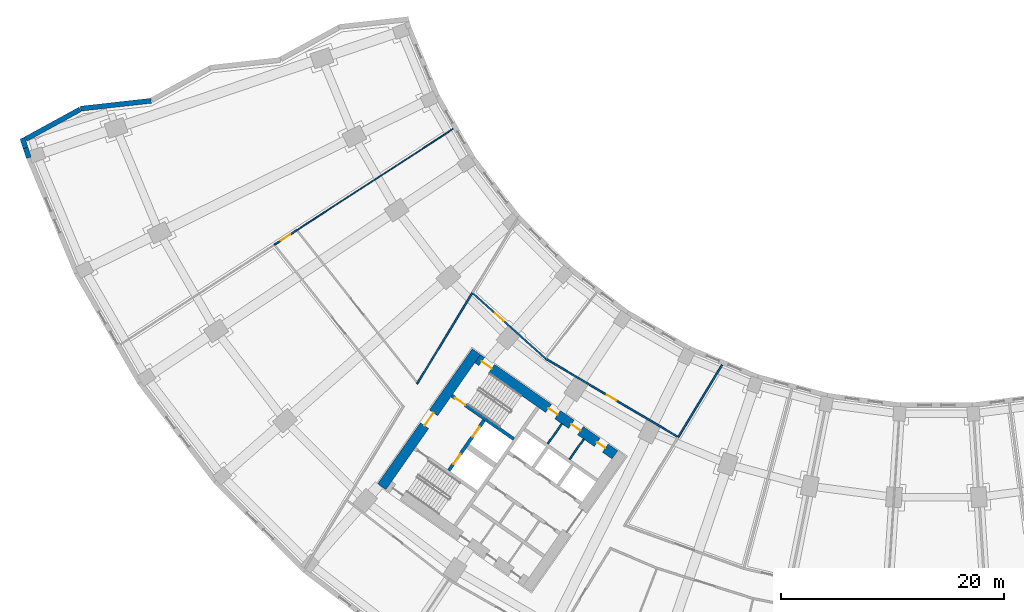
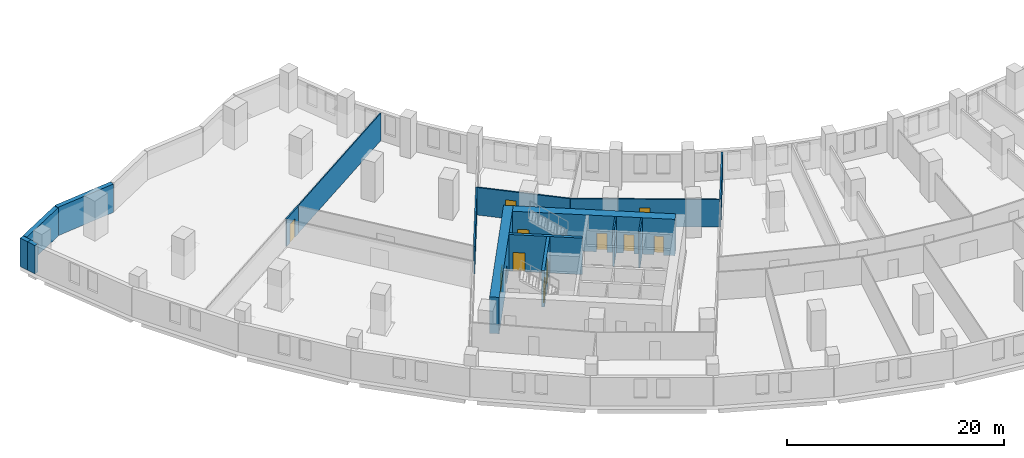
# One storey, part 7 of 20: 16 walls, 11 doors, 11 openings.
"""IFC4 building model written with IfcOpenShell, lengths in metres."""

from ifc_helpers import new_model, si_unit, direction, frame, frame_2d, origin, place, context, subcontext, project, spatial, rectangle, extrude, material, layer, layer_set, type_object, element, fill, save


model = new_model("IFC4")

# Units and contexts
model_context = context("Model", 3, precision=1e-05, world=origin(), true_north=direction((0.0, 1.0)))
body_context = subcontext(model_context, "Body", "Model", "MODEL_VIEW")
ifc_project = project(units=[si_unit("LENGTHUNIT", "METRE"), si_unit("AREAUNIT", "SQUARE_METRE"), si_unit("VOLUMEUNIT", "CUBIC_METRE"), si_unit("PLANEANGLEUNIT", "RADIAN"), si_unit("MASSUNIT", "GRAM", prefix="KILO")], contexts=[model_context])

# Site, building, storey
site_placement = place(None, origin())
site = spatial("IfcSite", under=ifc_project, at=site_placement, CompositionType="ELEMENT")
building_placement = place(site_placement, origin())
building = spatial("IfcBuilding", under=site, at=building_placement, Name="Qamariyya Broadcast Tower", CompositionType="ELEMENT")
storey_placement = place(building_placement, frame((0.0, 0.0, 31.5)))
storey = spatial("IfcBuildingStorey", under=building, at=storey_placement, Name="L04", CompositionType="ELEMENT", Elevation=31.5)

# Wall, opening, door
ifc_material_1 = material(Name="Concrete C70/85", Category="concrete")
ifc_layer_1 = layer(ifc_material_1, 0.89990234375)
ifc_layer_set_1 = layer_set([ifc_layer_1], Name="Core wall 900 mm Concrete C70/85")
wall_type_1 = type_object("IfcWallType", Name="Core wall 900 mm Concrete C70/85", PredefinedType="SHEAR", material=ifc_layer_set_1)
wall_1_placement = place(storey_placement, frame((-49.778564453125, -57.191162109375, 0.0), z_axis=(0.0, 0.0, 1.0), x_axis=(0.573577477574, 0.819151315216, 0.0)))
wall_1 = element("IfcWall", 1, at=wall_1_placement, inside=storey, type_object=wall_type_1, Name="k-W-L04-WH", PredefinedType="SHEAR", context=body_context, shape_type="SweptSolid", body=[
    extrude(rectangle(XDim=14.800048828125, YDim=0.89990234375, at=frame_2d((7.39990234375, 0.0))), origin(), (0.0, 0.0, 1.0), 4.10009765625),
])
opening_1_placement = place(wall_1_placement, frame((6.699951171875, 0.0, 0.0)))
opening_1 = element("IfcOpeningElement", 2, at=opening_1_placement, cuts=wall_1, Name="Opening KD2-W1", PredefinedType="OPENING", context=body_context, shape_type="SweptSolid", body=[
    extrude(rectangle(XDim=1.39990234375, YDim=2.10009765625, at=frame_2d((0.699951171875, 1.050048828125))), frame((0.0, 0.4599609375, 0.0), z_axis=(0.0, -1.0, 0.0), x_axis=(1.0, 0.0, 0.0)), (0.0, 0.0, 1.0), 0.919921875),
])
ifc_material_2 = material(Name="Steel fire-resisting door leaf", Category="steel")
door_type_1 = type_object("IfcDoorType", Name="Fire-fighting lobby door KD2", OperationType="DOUBLE_DOOR_SINGLE_SWING", PredefinedType="DOOR", material=ifc_material_2)
door_1_placement = place(opening_1_placement, origin())
door_1 = element("IfcDoor", 3, at=door_1_placement, inside=storey, type_object=door_type_1, Name="k-W-L04-WH-D16", OperationType="DOUBLE_DOOR_SINGLE_SWING", OverallHeight=2.10009765625, OverallWidth=1.39990234375, PredefinedType="DOOR", context=body_context, shape_type="SweptSolid", body=[
    extrude(rectangle(XDim=1.39990234375, YDim=2.10009765625, at=frame_2d((0.699951171875, 1.050048828125))), frame((0.0, 0.02490234375, 0.0), z_axis=(0.0, -1.0, 0.0), x_axis=(1.0, 0.0, 0.0)), (0.0, 0.0, 1.0), 0.050048828125),
])
fill(opening_1, door_1)

# Wall, openings, doors
wall_2_placement = place(storey_placement, frame((-28.8544921875, -54.32421875, 0.0), z_axis=(0.0, 0.0, 1.0), x_axis=(-0.819145767589, 0.573585400304, 0.0)))
wall_2 = element("IfcWall", 4, at=wall_2_placement, inside=storey, type_object=wall_type_1, Name="k-W-L04-WI", PredefinedType="SHEAR", context=body_context, shape_type="SweptSolid", body=[
    extrude(rectangle(XDim=15.04541015625, YDim=0.89990234375, at=frame_2d((7.522705078125, 0.0))), origin(), (0.0, 0.0, 1.0), 4.10009765625),
])
opening_2_placement = place(wall_2_placement, frame((1.050048828125, 0.0, 0.0)))
opening_2 = element("IfcOpeningElement", 5, at=opening_2_placement, cuts=wall_2, Name="Opening KD5-W1", PredefinedType="OPENING", context=body_context, shape_type="SweptSolid", body=[
    extrude(rectangle(XDim=0.89990234375, YDim=2.10009765625, at=frame_2d((0.449951171875, 1.050048828125))), frame((0.0, 0.4599609375, 0.0), z_axis=(0.0, -1.0, 0.0), x_axis=(1.0, 0.0, 0.0)), (0.0, 0.0, 1.0), 0.919921875),
])
opening_3_placement = place(wall_2_placement, frame((3.77490234375, 0.0, 0.0)))
opening_3 = element("IfcOpeningElement", 6, at=opening_3_placement, cuts=wall_2, Name="Opening KD7-W1", PredefinedType="OPENING", context=body_context, shape_type="SweptSolid", body=[
    extrude(rectangle(XDim=1.0, YDim=2.10009765625, at=frame_2d((0.5, 1.050048828125))), frame((0.0, 0.4599609375, 0.0), z_axis=(0.0, -1.0, 0.0), x_axis=(1.0, 0.0, 0.0)), (0.0, 0.0, 1.0), 0.919921875),
])
opening_4_placement = place(wall_2_placement, frame((6.27490234375, 0.0, 0.0)))
opening_4 = element("IfcOpeningElement", 7, at=opening_4_placement, cuts=wall_2, Name="Opening KD6-W4", PredefinedType="OPENING", context=body_context, shape_type="SweptSolid", body=[
    extrude(rectangle(XDim=1.0, YDim=2.10009765625, at=frame_2d((0.5, 1.050048828125))), frame((0.0, 0.4599609375, 0.0), z_axis=(0.0, -1.0, 0.0), x_axis=(1.0, 0.0, 0.0)), (0.0, 0.0, 1.0), 0.919921875),
])
opening_5_placement = place(wall_2_placement, frame((13.495361328125, 0.0, 0.0)))
opening_5 = element("IfcOpeningElement", 8, at=opening_5_placement, cuts=wall_2, Name="Opening KD1-W1", PredefinedType="OPENING", context=body_context, shape_type="SweptSolid", body=[
    extrude(rectangle(XDim=1.10009765625, YDim=2.10009765625, at=frame_2d((0.550048828125, 1.050048828125))), frame((0.0, 0.4599609375, 0.0), z_axis=(0.0, -1.0, 0.0), x_axis=(1.0, 0.0, 0.0)), (0.0, 0.0, 1.0), 0.919921875),
])
door_type_2 = type_object("IfcDoorType", Name="Accessible toilet door KD7", OperationType="SINGLE_SWING_LEFT", PredefinedType="DOOR", material=ifc_material_2)
door_2_placement = place(opening_3_placement, origin())
door_2 = element("IfcDoor", 9, at=door_2_placement, inside=storey, type_object=door_type_2, Name="k-W-L04-WI-D9", OperationType="SINGLE_SWING_RIGHT", OverallHeight=2.10009765625, OverallWidth=1.0, PredefinedType="DOOR", context=body_context, shape_type="SweptSolid", body=[
    extrude(rectangle(XDim=1.0, YDim=2.10009765625, at=frame_2d((0.5, 1.050048828125))), frame((0.0, 0.02490234375, 0.0), z_axis=(0.0, -1.0, 0.0), x_axis=(1.0, 0.0, 0.0)), (0.0, 0.0, 1.0), 0.050048828125),
])
fill(opening_3, door_2)
door_type_3 = type_object("IfcDoorType", Name="Core room door KD6", OperationType="SINGLE_SWING_LEFT", PredefinedType="DOOR", material=ifc_material_2)
door_3_placement = place(opening_4_placement, origin())
door_3 = element("IfcDoor", 10, at=door_3_placement, inside=storey, type_object=door_type_3, Name="k-W-L04-WI-D10", OperationType="SINGLE_SWING_LEFT", OverallHeight=2.10009765625, OverallWidth=1.0, PredefinedType="DOOR", context=body_context, shape_type="SweptSolid", body=[
    extrude(rectangle(XDim=1.0, YDim=2.10009765625, at=frame_2d((0.5, 1.050048828125))), frame((0.0, 0.02490234375, 0.0), z_axis=(0.0, -1.0, 0.0), x_axis=(1.0, 0.0, 0.0)), (0.0, 0.0, 1.0), 0.050048828125),
])
fill(opening_4, door_3)
door_type_4 = type_object("IfcDoorType", Name="Stair door KD1", OperationType="SINGLE_SWING_LEFT", PredefinedType="DOOR", material=ifc_material_2)
door_4_placement = place(opening_5_placement, origin())
door_4 = element("IfcDoor", 11, at=door_4_placement, inside=storey, type_object=door_type_4, Name="k-W-L04-WI-D17", OperationType="SINGLE_SWING_RIGHT", OverallHeight=2.10009765625, OverallWidth=1.10009765625, PredefinedType="DOOR", context=body_context, shape_type="SweptSolid", body=[
    extrude(rectangle(XDim=1.10009765625, YDim=2.10009765625, at=frame_2d((0.550048828125, 1.050048828125))), frame((0.0, 0.02490234375, 0.0), z_axis=(0.0, -1.0, 0.0), x_axis=(1.0, 0.0, 0.0)), (0.0, 0.0, 1.0), 0.050048828125),
])
fill(opening_5, door_4)
door_type_5 = type_object("IfcDoorType", Name="Toilet door KD5", OperationType="SINGLE_SWING_LEFT", PredefinedType="DOOR", material=ifc_material_2)
door_5_placement = place(opening_2_placement, origin())
door_5 = element("IfcDoor", 12, at=door_5_placement, inside=storey, type_object=door_type_5, Name="k-W-L04-WI-D8", OperationType="SINGLE_SWING_LEFT", OverallHeight=2.10009765625, OverallWidth=0.89990234375, PredefinedType="DOOR", context=body_context, shape_type="SweptSolid", body=[
    extrude(rectangle(XDim=0.89990234375, YDim=2.10009765625, at=frame_2d((0.449951171875, 1.050048828125))), frame((0.0, 0.02490234375, 0.0), z_axis=(0.0, -1.0, 0.0), x_axis=(1.0, 0.0, 0.0)), (0.0, 0.0, 1.0), 0.050048828125),
])
fill(opening_2, door_5)

# Wall, opening, door
ifc_material_3 = material(Name="Gypsum board partition")
ifc_layer_2 = layer(ifc_material_3, 0.14990234375)
ifc_layer_set_2 = layer_set([ifc_layer_2], Name="Corridor partition 150 EI 60")
wall_type_2 = type_object("IfcWallType", Name="Corridor partition 150 EI 60", PredefinedType="PARTITIONING", material=ifc_layer_set_2)
wall_3_placement = place(storey_placement, frame((-59.41796875, -35.470458984375, 0.0), z_axis=(0.0, 0.0, 1.0), x_axis=(0.839081673018, 0.544005465051, 0.0)))
wall_3 = element("IfcWall", 13, at=wall_3_placement, inside=storey, type_object=wall_type_2, Name="Partition L04-002", PredefinedType="PARTITIONING", context=body_context, shape_type="SweptSolid", body=[
    extrude(rectangle(XDim=2.40185546875, YDim=0.14990234375, at=frame_2d((1.200927734375, 0.0))), origin(), (0.0, 0.0, 1.0), 3.10009765625),
])
opening_6_placement = place(wall_3_placement, frame((0.700927734375, 0.0, 0.0)))
opening_6 = element("IfcOpeningElement", 14, at=opening_6_placement, cuts=wall_3, Name="Opening L04-D21", PredefinedType="OPENING", context=body_context, shape_type="SweptSolid", body=[
    extrude(rectangle(XDim=1.0, YDim=2.10009765625, at=frame_2d((0.5, 1.050048828125))), frame((0.0, 0.0849609375, 0.0), z_axis=(0.0, -1.0, 0.0), x_axis=(1.0, 0.0, 0.0)), (0.0, 0.0, 1.0), 0.169921875),
])
ifc_material_4 = material(Name="Timber fire door leaf", Category="wood")
door_type_6 = type_object("IfcDoorType", Name="Fire door 1000 x 2100 FD60", OperationType="NOTDEFINED", PredefinedType="DOOR", material=ifc_material_4)
door_6_placement = place(opening_6_placement, origin())
door_6 = element("IfcDoor", 15, at=door_6_placement, inside=storey, type_object=door_type_6, Name="Door L04-D21", OperationType="SINGLE_SWING_RIGHT", OverallHeight=2.10009765625, OverallWidth=1.0, PredefinedType="DOOR", context=body_context, shape_type="SweptSolid", body=[
    extrude(rectangle(XDim=1.0, YDim=2.10009765625, at=frame_2d((0.5, 1.050048828125))), frame((0.0, 0.02490234375, 0.0), z_axis=(0.0, -1.0, 0.0), x_axis=(1.0, 0.0, 0.0)), (0.0, 0.0, 1.0), 0.050048828125),
])
fill(opening_6, door_6)

# Wall
wall_4_placement = place(storey_placement, frame((-41.648193359375, -39.789306640625, 0.0), z_axis=(0.0, 0.0, 1.0), x_axis=(-0.519144162426, -0.854686690325, 0.0)))
element("IfcWall", 16, at=wall_4_placement, inside=storey, type_object=wall_type_2, Name="Partition L04-011", PredefinedType="PARTITIONING", context=body_context, shape_type="SweptSolid", body=[
    extrude(rectangle(XDim=9.55419921875, YDim=0.14990234375, at=frame_2d((4.777099609375, 0.0))), origin(), (0.0, 0.0, 1.0), 3.10009765625),
])

# Wall, opening, door
wall_5_placement = place(storey_placement, frame((-41.59228515625, -39.83935546875, 0.0), z_axis=(0.0, 0.0, 1.0), x_axis=(0.744252572607, -0.667898276812, 0.0)))
wall_5 = element("IfcWall", 17, at=wall_5_placement, inside=storey, type_object=wall_type_2, Name="Partition L04-012", PredefinedType="PARTITIONING", context=body_context, shape_type="SweptSolid", body=[
    extrude(rectangle(XDim=8.770751953125, YDim=0.14990234375, at=frame_2d((4.38525390625, 0.0))), origin(), (0.0, 0.0, 1.0), 3.10009765625),
])
opening_7_placement = place(wall_5_placement, frame((2.685302734375, 0.0, 0.0)))
opening_7 = element("IfcOpeningElement", 18, at=opening_7_placement, cuts=wall_5, Name="Opening L04-D15", PredefinedType="OPENING", context=body_context, shape_type="SweptSolid", body=[
    extrude(rectangle(XDim=1.0, YDim=2.10009765625, at=frame_2d((0.5, 1.050048828125))), frame((0.0, 0.0849609375, 0.0), z_axis=(0.0, -1.0, 0.0), x_axis=(1.0, 0.0, 0.0)), (0.0, 0.0, 1.0), 0.169921875),
])
door_7_placement = place(opening_7_placement, origin())
door_7 = element("IfcDoor", 19, at=door_7_placement, inside=storey, type_object=door_type_6, Name="Door L04-D15", OperationType="SINGLE_SWING_LEFT", OverallHeight=2.10009765625, OverallWidth=1.0, PredefinedType="DOOR", context=body_context, shape_type="SweptSolid", body=[
    extrude(rectangle(XDim=1.0, YDim=2.10009765625, at=frame_2d((0.5, 1.050048828125))), frame((0.0, 0.02490234375, 0.0), z_axis=(0.0, -1.0, 0.0), x_axis=(1.0, 0.0, 0.0)), (0.0, 0.0, 1.0), 0.050048828125),
])
fill(opening_7, door_7)

wall_6_placement = place(storey_placement, frame((-35.064697265625, -45.697265625, 0.0), z_axis=(0.0, 0.0, 1.0), x_axis=(0.860638818745, -0.509215891022, 0.0)))
wall_6 = element("IfcWall", 20, at=wall_6_placement, inside=storey, type_object=wall_type_2, Name="Partition L04-014", PredefinedType="PARTITIONING", context=body_context, shape_type="SweptSolid", body=[
    extrude(rectangle(XDim=13.740966796875, YDim=0.14990234375, at=frame_2d((6.87060546875, 0.0))), origin(), (0.0, 0.0, 1.0), 3.10009765625),
])
opening_8_placement = place(wall_6_placement, frame((6.370361328125, 0.0, 0.0)))
opening_8 = element("IfcOpeningElement", 21, at=opening_8_placement, cuts=wall_6, Name="Opening L04-D16", PredefinedType="OPENING", context=body_context, shape_type="SweptSolid", body=[
    extrude(rectangle(XDim=1.0, YDim=2.10009765625, at=frame_2d((0.5, 1.050048828125))), frame((0.0, 0.0849609375, 0.0), z_axis=(0.0, -1.0, 0.0), x_axis=(1.0, 0.0, 0.0)), (0.0, 0.0, 1.0), 0.169921875),
])
door_8_placement = place(opening_8_placement, origin())
door_8 = element("IfcDoor", 22, at=door_8_placement, inside=storey, type_object=door_type_6, Name="Door L04-D16", OperationType="SINGLE_SWING_RIGHT", OverallHeight=2.10009765625, OverallWidth=1.0, PredefinedType="DOOR", context=body_context, shape_type="SweptSolid", body=[
    extrude(rectangle(XDim=1.0, YDim=2.10009765625, at=frame_2d((0.5, 1.050048828125))), frame((0.0, 0.02490234375, 0.0), z_axis=(0.0, -1.0, 0.0), x_axis=(1.0, 0.0, 0.0)), (0.0, 0.0, 1.0), 0.050048828125),
])
fill(opening_8, door_8)

# Walls
wall_7_placement = place(storey_placement, frame((-19.2314453125, -46.2490234375, 0.0), z_axis=(0.0, 0.0, 1.0), x_axis=(-0.519582509181, -0.854420280748, 0.0)))
element("IfcWall", 23, at=wall_7_placement, inside=storey, type_object=wall_type_2, Name="Partition L04-024", PredefinedType="PARTITIONING", context=body_context, shape_type="SweptSolid", body=[
    extrude(rectangle(XDim=7.588134765625, YDim=0.14990234375, at=frame_2d((3.7939453125, 0.0))), origin(), (0.0, 0.0, 1.0), 3.10009765625),
])
ifc_material_5 = material(Name="Gypsum board partition on steel studs", Category="steel")
ifc_layer_3 = layer(ifc_material_5, 0.14990234375)
ifc_layer_set_3 = layer_set([ifc_layer_3], Name="Gypsum board partition 150 mm")
wall_type_3 = type_object("IfcWallType", Name="Gypsum board partition 150 mm", PredefinedType="PARTITIONING", material=ifc_layer_set_3)
wall_8_placement = place(storey_placement, frame((-32.9140625, -54.716796875, 0.0), z_axis=(0.0, 0.0, 1.0), x_axis=(0.573581496053, 0.819148501424, 0.0)))
element("IfcWall", 24, at=wall_8_placement, inside=storey, type_object=wall_type_3, Name="k-W-L04-NP310", PredefinedType="PARTITIONING", context=body_context, shape_type="SweptSolid", body=[
    extrude(rectangle(XDim=2.2001953125, YDim=0.14990234375, at=frame_2d((1.10009765625, 0.0))), origin(), (0.0, 0.0, 1.0), 4.10009765625),
])
wall_9_placement = place(storey_placement, frame((-34.8798828125, -53.340087890625, 0.0), z_axis=(0.0, 0.0, 1.0), x_axis=(0.573559170999, 0.819164133348, 0.0)))
element("IfcWall", 25, at=wall_9_placement, inside=storey, type_object=wall_type_3, Name="k-W-L04-NP550", PredefinedType="PARTITIONING", context=body_context, shape_type="SweptSolid", body=[
    extrude(rectangle(XDim=2.19970703125, YDim=0.14990234375, at=frame_2d((1.099853515625, 0.0))), origin(), (0.0, 0.0, 1.0), 4.10009765625),
])

# Wall, opening, door
ifc_material_6 = material(Name="Concrete C60/75", Category="concrete")
ifc_layer_4 = layer(ifc_material_6, 0.300048828125)
ifc_layer_set_4 = layer_set([ifc_layer_4], Name="Lift shaft wall 300 mm Concrete C60/75")
wall_type_4 = type_object("IfcWallType", Name="Lift shaft wall 300 mm Concrete C60/75", PredefinedType="SOLIDWALL", material=ifc_layer_set_4)
wall_10_placement = place(storey_placement, frame((-37.935546875, -52.90966796875, 0.0), z_axis=(0.0, 0.0, 1.0), x_axis=(-0.819147518138, 0.57358290031, 0.0)))
wall_10 = element("IfcWall", 26, at=wall_10_placement, inside=storey, type_object=wall_type_4, Name="k-W-L04-NW", PredefinedType="SOLIDWALL", context=body_context, shape_type="SweptSolid", body=[
    extrude(rectangle(XDim=6.79541015625, YDim=0.300048828125, at=frame_2d((3.397705078125, 0.0))), origin(), (0.0, 0.0, 1.0), 4.10009765625),
])
opening_9_placement = place(wall_10_placement, frame((5.3203125, 0.0, 0.0)))
opening_9 = element("IfcOpeningElement", 27, at=opening_9_placement, cuts=wall_10, Name="Opening KD1-W2", PredefinedType="OPENING", context=body_context, shape_type="SweptSolid", body=[
    extrude(rectangle(XDim=1.10009765625, YDim=2.10009765625, at=frame_2d((0.550048828125, 1.050048828125))), frame((0.0, 0.159912109375, 0.0), z_axis=(0.0, -1.0, 0.0), x_axis=(1.0, 0.0, 0.0)), (0.0, 0.0, 1.0), 0.320068359375),
])
door_9_placement = place(opening_9_placement, origin())
door_9 = element("IfcDoor", 28, at=door_9_placement, inside=storey, type_object=door_type_4, Name="k-W-L04-NW-D18", OperationType="SINGLE_SWING_LEFT", OverallHeight=2.10009765625, OverallWidth=1.10009765625, PredefinedType="DOOR", context=body_context, shape_type="SweptSolid", body=[
    extrude(rectangle(XDim=1.10009765625, YDim=2.10009765625, at=frame_2d((0.550048828125, 1.050048828125))), frame((0.0, 0.02490234375, 0.0), z_axis=(0.0, -1.0, 0.0), x_axis=(1.0, 0.0, 0.0)), (0.0, 0.0, 1.0), 0.050048828125),
])
fill(opening_9, door_9)

# Wall, openings, doors
wall_11_placement = place(storey_placement, frame((-43.756591796875, -55.731201171875, 0.0), z_axis=(0.0, 0.0, 1.0), x_axis=(0.573536818435, 0.819179783625, 0.0)))
wall_11 = element("IfcWall", 29, at=wall_11_placement, inside=storey, type_object=wall_type_4, Name="k-W-L04-FF", PredefinedType="SOLIDWALL", context=body_context, shape_type="SweptSolid", body=[
    extrude(rectangle(XDim=5.500244140625, YDim=0.300048828125, at=frame_2d((2.75, 0.0))), origin(), (0.0, 0.0, 1.0), 4.10009765625),
])
opening_10_placement = place(wall_11_placement, frame((0.699951171875, 0.0, 0.0)))
opening_10 = element("IfcOpeningElement", 30, at=opening_10_placement, cuts=wall_11, Name="Opening LD", PredefinedType="OPENING", context=body_context, shape_type="SweptSolid", body=[
    extrude(rectangle(XDim=1.10009765625, YDim=2.10009765625, at=frame_2d((0.550048828125, 1.050048828125))), frame((0.0, 0.159912109375, 0.0), z_axis=(0.0, -1.0, 0.0), x_axis=(1.0, 0.0, 0.0)), (0.0, 0.0, 1.0), 0.320068359375),
])
opening_11_placement = place(wall_11_placement, frame((3.699951171875, 0.0, 0.0)))
opening_11 = element("IfcOpeningElement", 31, at=opening_11_placement, cuts=wall_11, Name="Opening LD", PredefinedType="OPENING", context=body_context, shape_type="SweptSolid", body=[
    extrude(rectangle(XDim=1.10009765625, YDim=2.10009765625, at=frame_2d((0.550048828125, 1.050048828125))), frame((0.0, 0.159912109375, 0.0), z_axis=(0.0, -1.0, 0.0), x_axis=(1.0, 0.0, 0.0)), (0.0, 0.0, 1.0), 0.320068359375),
])
door_type_7 = type_object("IfcDoorType", Name="Lift landing door LD", OperationType="DOUBLE_DOOR_SLIDING", PredefinedType="DOOR", material=ifc_material_2)
door_10_placement = place(opening_10_placement, origin())
door_10 = element("IfcDoor", 32, at=door_10_placement, inside=storey, type_object=door_type_7, Name="k-W-L04-FF-D14", OperationType="DOUBLE_DOOR_SLIDING", OverallHeight=2.10009765625, OverallWidth=1.10009765625, PredefinedType="DOOR", context=body_context, shape_type="SweptSolid", body=[
    extrude(rectangle(XDim=1.10009765625, YDim=2.10009765625, at=frame_2d((0.550048828125, 1.050048828125))), frame((0.0, 0.02490234375, 0.0), z_axis=(0.0, -1.0, 0.0), x_axis=(1.0, 0.0, 0.0)), (0.0, 0.0, 1.0), 0.050048828125),
])
fill(opening_10, door_10)
door_11_placement = place(opening_11_placement, origin())
door_11 = element("IfcDoor", 33, at=door_11_placement, inside=storey, type_object=door_type_7, Name="k-W-L04-FF-D15", OperationType="DOUBLE_DOOR_SLIDING", OverallHeight=2.10009765625, OverallWidth=1.10009765625, PredefinedType="DOOR", context=body_context, shape_type="SweptSolid", body=[
    extrude(rectangle(XDim=1.10009765625, YDim=2.10009765625, at=frame_2d((0.550048828125, 1.050048828125))), frame((0.0, 0.02490234375, 0.0), z_axis=(0.0, -1.0, 0.0), x_axis=(1.0, 0.0, 0.0)), (0.0, 0.0, 1.0), 0.050048828125),
])
fill(opening_11, door_11)

# Walls
ifc_layer_5 = layer(ifc_material_3, 0.10009765625)
ifc_layer_set_5 = layer_set([ifc_layer_5], Name="Partition 100")
wall_type_5 = type_object("IfcWallType", Name="Partition 100", PredefinedType="PARTITIONING", material=ifc_layer_set_5)
wall_12_placement = place(storey_placement, frame((-57.402587890625, -34.163818359375, 0.0), z_axis=(0.0, 0.0, 1.0), x_axis=(0.83909708633, 0.543981690604, 0.0)))
element("IfcWall", 34, at=wall_12_placement, inside=storey, type_object=wall_type_5, Name="Partition L04-003", PredefinedType="PARTITIONING", context=body_context, shape_type="SweptSolid", body=[
    extrude(rectangle(XDim=16.723388671875, YDim=0.10009765625, at=frame_2d((8.36181640625, 0.0))), origin(), (0.0, 0.0, 1.0), 3.10009765625),
])
ifc_material_7 = material(Name="Precast concrete C40/50 with terracotta facing", Category="masonry")
ifc_layer_6 = layer(ifc_material_7, 0.449951171875)
ifc_layer_set_6 = layer_set([ifc_layer_6], Name="Precast concrete C40/50 wall 450, terracotta faced")
wall_type_6 = type_object("IfcWallType", Name="Precast concrete C40/50 wall 450, terracotta faced", PredefinedType="SOLIDWALL", material=ifc_layer_set_6)
wall_13_placement = place(storey_placement, frame((-70.4814453125, -22.548095703125, 0.0), z_axis=(0.0, 0.0, 1.0), x_axis=(-0.993813805196, -0.111059086081, 0.0)))
element("IfcWall", 35, at=wall_13_placement, inside=storey, type_object=wall_type_6, Name="e-wl-L04-capW4", PredefinedType="SOLIDWALL", context=body_context, shape_type="SweptSolid", body=[
    extrude(rectangle(XDim=6.36181640625, YDim=0.449951171875, at=frame_2d((3.180908203125, 0.0))), origin(), (0.0, 0.0, 1.0), 3.199951171875),
])
wall_14_placement = place(storey_placement, frame((-76.863037109375, -23.32373046875, 0.0), z_axis=(0.0, 0.0, 1.0), x_axis=(-0.877209140108, -0.480108450781, 0.0)))
element("IfcWall", 36, at=wall_14_placement, inside=storey, type_object=wall_type_6, Name="e-wl-L04-capW5", PredefinedType="SOLIDWALL", context=body_context, shape_type="SweptSolid", body=[
    extrude(rectangle(XDim=5.552978515625, YDim=0.449951171875, at=frame_2d((2.7763671875, 0.0))), origin(), (0.0, 0.0, 1.0), 3.199951171875),
])
wall_15_placement = place(storey_placement, frame((-82.031982421875, -25.90625, 0.0), z_axis=(0.0, 0.0, 1.0), x_axis=(0.311608566113, -0.950210556416, 0.0)))
element("IfcWall", 37, at=wall_15_placement, inside=storey, type_object=wall_type_6, Name="e-wl-L04-out00", PredefinedType="SOLIDWALL", context=body_context, shape_type="SweptSolid", body=[
    extrude(rectangle(XDim=0.936279296875, YDim=0.449951171875, at=frame_2d((0.46826171875, 0.0))), origin(), (0.0, 0.0, 1.0), 3.199951171875),
])
wall_16_placement = place(storey_placement, frame((-81.740234375, -26.7958984375, 0.0), z_axis=(0.0, 0.0, 1.0), x_axis=(0.311634105085, -0.950202180879, 0.0)))
element("IfcWall", 38, at=wall_16_placement, inside=storey, type_object=wall_type_6, Name="e-wl-L04-out01", PredefinedType="SOLIDWALL", context=body_context, shape_type="SweptSolid", body=[
    extrude(rectangle(XDim=0.90966796875, YDim=0.449951171875, at=frame_2d((0.454833984375, 0.0))), origin(), (0.0, 0.0, 1.0), 3.199951171875),
])

save(model, "model.ifc")
